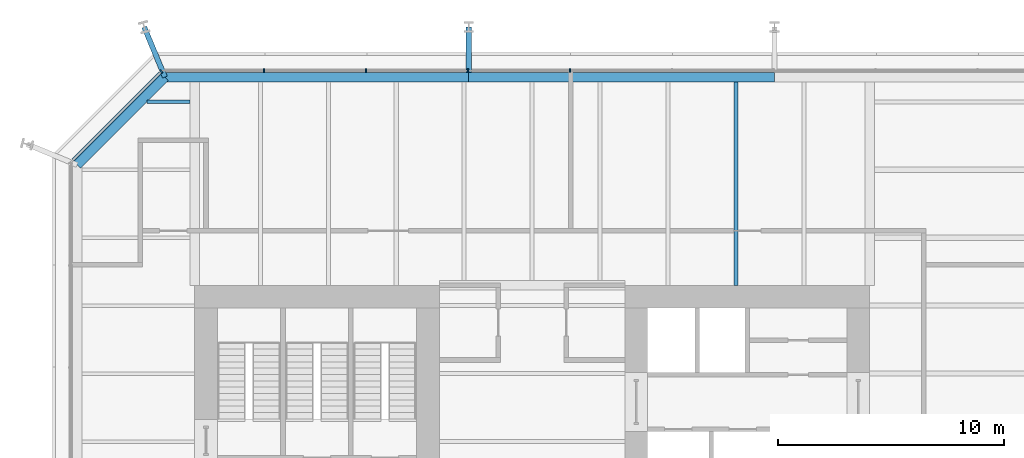
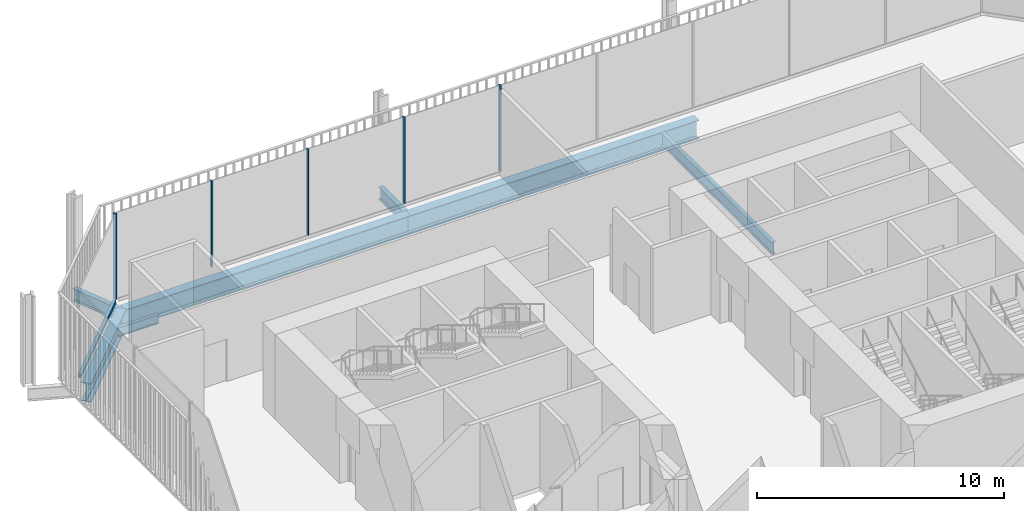
# One storey, part 12 of 20: 7 beams, 6 members, 2 elements without a shape of their own.
"""IFC4 building model written with IfcOpenShell, lengths in metres."""

from ifc_helpers import new_model, si_unit, direction, frame, origin, origin_2d, place, context, subcontext, project, spatial, rectangle, i_section, extrude, material, layer, layer_set, material_profile, profile_set, type_object, element, aggregate, save


model = new_model("IFC4")

# Units and contexts
model_context = context("Model", 3, precision=1e-05, world=origin(), true_north=direction((0.0, 1.0)))
body_context = subcontext(model_context, "Body", "Model", "MODEL_VIEW")
ifc_project = project(units=[si_unit("LENGTHUNIT", "METRE"), si_unit("AREAUNIT", "SQUARE_METRE"), si_unit("VOLUMEUNIT", "CUBIC_METRE"), si_unit("PLANEANGLEUNIT", "RADIAN"), si_unit("MASSUNIT", "GRAM", prefix="KILO")], contexts=[model_context])

# Site, building, storey
site_placement = place(None, origin())
site = spatial("IfcSite", under=ifc_project, at=site_placement, CompositionType="ELEMENT")
building_placement = place(site_placement, origin())
building = spatial("IfcBuilding", under=site, at=building_placement, Name="Millrace Tower", CompositionType="ELEMENT")
storey_placement = place(building_placement, frame((0.0, 0.0, 99.60009765625)))
storey = spatial("IfcBuildingStorey", under=building, at=storey_placement, Name="L22", CompositionType="ELEMENT", Elevation=99.60009765625)

# Curtain wall, members
ifc_material_1 = material(Name="Aluminium and glass", Category="aluminium")
ifc_layer = layer(ifc_material_1, 0.14990234375)
ifc_layer_set = layer_set([ifc_layer], Name="Aluminium and glass")
curtain_wall_type = type_object("IfcCurtainWallType", Name="CW-3 telecom floor curtain wall", PredefinedType="NOTDEFINED", material=ifc_layer_set)
placement = place(storey_placement, origin())
curtain_wall_1 = element("IfcCurtainWall", 1, at=placement, inside=storey, type_object=curtain_wall_type, Name="Curtain wall B-F06 L22", PredefinedType="NOTDEFINED")
ifc_material_2 = material(Name="Aluminium", Category="aluminium")
ifc_material_profile_1 = material_profile(ifc_material_2, rectangle(XDim=0.06494140625, YDim=0.14990234375, at=origin_2d()))
ifc_profile_set_1 = profile_set([ifc_material_profile_1], Name="Aluminium")
member_type_1 = type_object("IfcMemberType", Name="CW-3 telecom floor curtain wall mullion", PredefinedType="MULLION", material=ifc_profile_set_1)
member_1_placement = place(storey_placement, frame((1.66748046875, 19.375, 0.14990234375), z_axis=(0.0, 0.0, 1.0), x_axis=(-1.0, 0.0, 0.0)))
member_1 = element("IfcMember", 2, at=member_1_placement, type_object=member_type_1, Name="CW3 mullion B-F06.6", PredefinedType="MULLION", context=body_context, shape_type="SweptSolid", body=[
    extrude(rectangle(XDim=0.06494140625, YDim=0.14990234375, at=origin_2d()), origin(), (0.0, 0.0, 1.0), 4.25),
])
member_2_placement = place(storey_placement, frame((-2.83251953125, 19.375, 0.14990234375), z_axis=(0.0, 0.0, 1.0), x_axis=(-1.0, 0.0, 0.0)))
member_2 = element("IfcMember", 3, at=member_2_placement, type_object=member_type_1, Name="CW3 mullion B-F06.7", PredefinedType="MULLION", context=body_context, shape_type="SweptSolid", body=[
    extrude(rectangle(XDim=0.06494140625, YDim=0.14990234375, at=origin_2d()), origin(), (0.0, 0.0, 1.0), 4.25),
])
member_3_placement = place(storey_placement, frame((-7.33251953125, 19.375, 0.14990234375), z_axis=(0.0, 0.0, 1.0), x_axis=(-1.0, 0.0, 0.0)))
member_3 = element("IfcMember", 4, at=member_3_placement, type_object=member_type_1, Name="CW3 mullion B-F06.8", PredefinedType="MULLION", context=body_context, shape_type="SweptSolid", body=[
    extrude(rectangle(XDim=0.06494140625, YDim=0.14990234375, at=origin_2d()), origin(), (0.0, 0.0, 1.0), 4.25),
])
member_4_placement = place(storey_placement, frame((-11.83251953125, 19.375, 0.14990234375), z_axis=(0.0, 0.0, 1.0), x_axis=(-1.0, 0.0, 0.0)))
member_4 = element("IfcMember", 5, at=member_4_placement, type_object=member_type_1, Name="CW3 mullion B-F06.9", PredefinedType="MULLION", context=body_context, shape_type="SweptSolid", body=[
    extrude(rectangle(XDim=0.06494140625, YDim=0.14990234375, at=origin_2d()), origin(), (0.0, 0.0, 1.0), 4.25),
])
aggregate(curtain_wall_1, [member_1, member_2, member_3, member_4])

curtain_wall_2 = element("IfcCurtainWall", 6, at=placement, inside=storey, type_object=curtain_wall_type, Name="Curtain wall B-F07 L22", PredefinedType="NOTDEFINED")
member_5_placement = place(storey_placement, frame((-16.3759765625, 19.330078125, 0.14990234375), z_axis=(0.0, 0.0, 1.0), x_axis=(-0.707106781187, -0.707106781187, 0.0)))
member_5 = element("IfcMember", 7, at=member_5_placement, type_object=member_type_1, Name="CW3 mullion B-F07.1", PredefinedType="MULLION", context=body_context, shape_type="SweptSolid", body=[
    extrude(rectangle(XDim=0.06494140625, YDim=0.14990234375, at=origin_2d()), origin(), (0.0, 0.0, 1.0), 4.25),
])
ifc_material_3 = material(Name="Aluminium", Category="aluminium")
ifc_material_profile_2 = material_profile(ifc_material_3, rectangle(XDim=0.14990234375, YDim=0.14990234375, at=origin_2d()))
ifc_profile_set_2 = profile_set([ifc_material_profile_2], Name="Aluminium")
member_type_2 = type_object("IfcMemberType", Name="CW-3 telecom floor curtain wall transom", PredefinedType="USERDEFINED", material=ifc_profile_set_2)
member_6_placement = place(storey_placement, frame((-16.423828125, 19.2822265625, 0.074951171875), z_axis=(-0.707106781187, -0.707106781187, 0.0), x_axis=(0.707106781187, -0.707106781187, 0.0)))
member_6 = element("IfcMember", 8, at=member_6_placement, type_object=member_type_2, Name="CW3 transom B-F07.1", ObjectType="TRANSOM", PredefinedType="USERDEFINED", context=body_context, shape_type="SweptSolid", body=[
    extrude(rectangle(XDim=0.14990234375, YDim=0.14990234375, at=origin_2d()), origin(), (0.0, 0.0, 1.0), 5.45654296875),
])
aggregate(curtain_wall_2, [member_5, member_6])

# Beams
ifc_material_4 = material(Name="Steel ASTM A992 Grade 50", Category="steel")
ifc_material_profile_3 = material_profile(ifc_material_4, i_section(OverallWidth=0.15234375, OverallDepth=0.449462890625, WebThickness=0.007568359375, FlangeThickness=0.0107421875, FilletRadius=0.01025390625, at=origin_2d()))
ifc_profile_set_3 = profile_set([ifc_material_profile_3], Name="Steel ASTM A992 Grade 50")
beam_type_1 = type_object("IfcBeamType", Name="Floor beam W18x35", PredefinedType="JOIST", material=ifc_profile_set_3)
beam_1_placement = place(storey_placement, frame((-16.995361328125, 18.0, -0.4248046875), z_axis=(1.0, 0.0, 0.0), x_axis=(0.0, 1.0, 0.0)))
element("IfcBeam", 9, at=beam_1_placement, inside=storey, type_object=beam_type_1, Name="BM-B-L22-S1-S038", PredefinedType="JOIST", context=body_context, shape_type="SweptSolid", body=[
    extrude(i_section(OverallWidth=0.15234375, OverallDepth=0.449462890625, WebThickness=0.007568359375, FlangeThickness=0.0107421875, FilletRadius=0.01025390625, at=origin_2d()), origin(), (0.0, 0.0, 1.0), 1.884521484375),
])
ifc_material_5 = material(Name="Steel ASTM A992 Grade 50", Category="steel")
ifc_material_profile_4 = material_profile(ifc_material_5, i_section(OverallWidth=0.177978515625, OverallDepth=0.599365234375, WebThickness=0.010009765625, FlangeThickness=0.012939453125, FilletRadius=0.012939453125, at=origin_2d()))
ifc_profile_set_4 = profile_set([ifc_material_profile_4], Name="Steel ASTM A992 Grade 50")
beam_type_2 = type_object("IfcBeamType", Name="Floor beam W24x55", PredefinedType="JOIST", material=ifc_profile_set_4)
beam_2_placement = place(storey_placement, frame((9.0, 9.89990234375, -0.499755859375), z_axis=(0.0, 1.0, 0.0), x_axis=(-1.0, 0.0, 0.0)))
element("IfcBeam", 10, at=beam_2_placement, inside=storey, type_object=beam_type_2, Name="BM-B-L22-S1-S054", PredefinedType="JOIST", context=body_context, shape_type="SweptSolid", body=[
    extrude(i_section(OverallWidth=0.177978515625, OverallDepth=0.599365234375, WebThickness=0.010009765625, FlangeThickness=0.012939453125, FilletRadius=0.012939453125, at=origin_2d()), origin(), (0.0, 0.0, 1.0), 8.98095703125),
])
ifc_material_6 = material(Name="Steel ASTM A992 Grade 50", Category="steel")
ifc_material_profile_5 = material_profile(ifc_material_6, i_section(OverallWidth=0.23046875, OverallDepth=0.6171875, WebThickness=0.01318359375, FlangeThickness=0.022216796875, FilletRadius=0.012939453125, at=origin_2d()))
ifc_profile_set_5 = profile_set([ifc_material_profile_5], Name="Steel ASTM A992 Grade 50")
beam_type_3 = type_object("IfcBeamType", Name="Link beam W24x94", PredefinedType="BEAM", material=ifc_profile_set_5)
beam_3_placement = place(storey_placement, frame((-16.213134765625, 19.09033203125, -0.5087890625), z_axis=(-0.382679341507, 0.923881226989, 0.0), x_axis=(-0.923881226989, -0.382679341507, 0.0)))
element("IfcBeam", 11, at=beam_3_placement, inside=storey, type_object=beam_type_3, Name="LNK-B-L22-S1-05", PredefinedType="BEAM", context=body_context, shape_type="SweptSolid", body=[
    extrude(i_section(OverallWidth=0.23046875, OverallDepth=0.6171875, WebThickness=0.01318359375, FlangeThickness=0.022216796875, FilletRadius=0.012939453125, at=origin_2d()), origin(), (0.0, 0.0, 1.0), 2.391845703125),
])
beam_4_placement = place(storey_placement, frame((-2.800048828125, 19.300048828125, -0.5087890625), z_axis=(0.0, 1.0, 0.0), x_axis=(-1.0, 0.0, 0.0)))
element("IfcBeam", 12, at=beam_4_placement, inside=storey, type_object=beam_type_3, Name="LNK-B-L22-S1-06", PredefinedType="BEAM", context=body_context, shape_type="SweptSolid", body=[
    extrude(i_section(OverallWidth=0.23046875, OverallDepth=0.6171875, WebThickness=0.01318359375, FlangeThickness=0.022216796875, FilletRadius=0.012939453125, at=origin_2d()), origin(), (0.0, 0.0, 1.0), 2.0),
])
ifc_material_7 = material(Name="Steel ASTM A992 Grade 50", Category="steel")
ifc_material_profile_6 = material_profile(ifc_material_7, i_section(OverallWidth=0.419189453125, OverallDepth=0.927001953125, WebThickness=0.019287109375, FlangeThickness=0.031982421875, FilletRadius=0.024169921875, at=origin_2d()))
ifc_profile_set_6 = profile_set([ifc_material_profile_6], Name="Steel ASTM A992 Grade 50")
beam_type_4 = type_object("IfcBeamType", Name="Ring beam medium span W36x231", PredefinedType="SPANDREL", material=ifc_profile_set_6)
beam_5_placement = place(storey_placement, frame((-16.213134765625, 19.09033203125, -0.66357421875), z_axis=(1.0, 0.0, 0.0), x_axis=(0.0, 1.0, 0.0)))
element("IfcBeam", 13, at=beam_5_placement, inside=storey, type_object=beam_type_4, Name="RNG-B-L22-S1-05", PredefinedType="SPANDREL", context=body_context, shape_type="SweptSolid", body=[
    extrude(i_section(OverallWidth=0.419189453125, OverallDepth=0.927001953125, WebThickness=0.019287109375, FlangeThickness=0.031982421875, FilletRadius=0.024169921875, at=origin_2d()), origin(), (0.0, 0.0, 1.0), 13.4130859375),
])
beam_6_placement = place(storey_placement, frame((-2.800048828125, 19.09033203125, -0.66357421875), z_axis=(1.0, 0.0, 0.0), x_axis=(0.0, 1.0, 0.0)))
element("IfcBeam", 14, at=beam_6_placement, inside=storey, type_object=beam_type_4, Name="RNG-B-L22-S1-06", PredefinedType="SPANDREL", context=body_context, shape_type="SweptSolid", body=[
    extrude(i_section(OverallWidth=0.419189453125, OverallDepth=0.927001953125, WebThickness=0.019287109375, FlangeThickness=0.031982421875, FilletRadius=0.024169921875, at=origin_2d()), origin(), (0.0, 0.0, 1.0), 13.5),
])
ifc_material_8 = material(Name="Steel ASTM A992 Grade 50", Category="steel")
ifc_material_profile_7 = material_profile(ifc_material_8, i_section(OverallWidth=0.419189453125, OverallDepth=0.927001953125, WebThickness=0.019287109375, FlangeThickness=0.031982421875, FilletRadius=0.024169921875, at=origin_2d()))
ifc_profile_set_7 = profile_set([ifc_material_profile_7], Name="Steel ASTM A992 Grade 50")
beam_type_5 = type_object("IfcBeamType", Name="Ring beam short span W36x231", PredefinedType="SPANDREL", material=ifc_profile_set_7)
beam_7_placement = place(storey_placement, frame((-20.09033203125, 15.213134765625, -0.66357421875), z_axis=(0.707106781187, 0.707106781187, 0.0), x_axis=(-0.707106781187, 0.707106781187, 0.0)))
element("IfcBeam", 15, at=beam_7_placement, inside=storey, type_object=beam_type_5, Name="RNG-B-L22-S1-04", PredefinedType="SPANDREL", context=body_context, shape_type="SweptSolid", body=[
    extrude(i_section(OverallWidth=0.419189453125, OverallDepth=0.927001953125, WebThickness=0.019287109375, FlangeThickness=0.031982421875, FilletRadius=0.024169921875, at=origin_2d()), origin(), (0.0, 0.0, 1.0), 5.483154296875),
])

save(model, "model.ifc")
